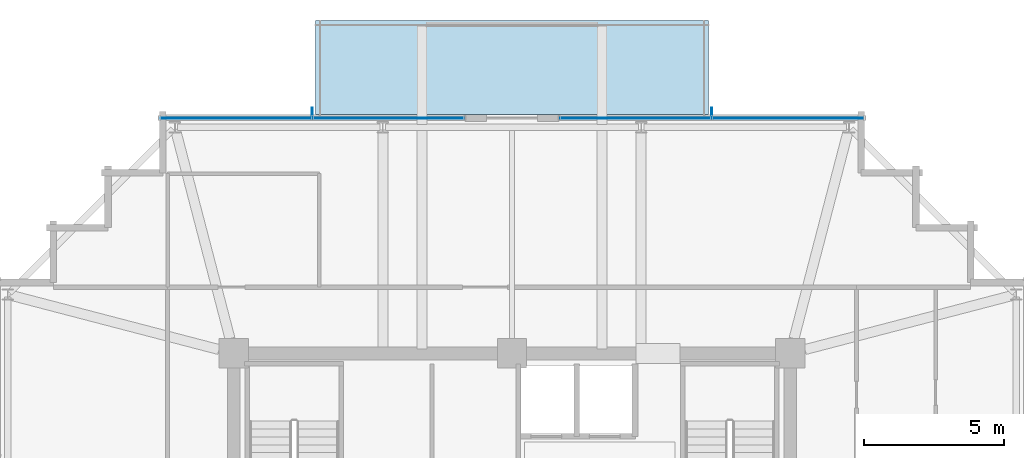
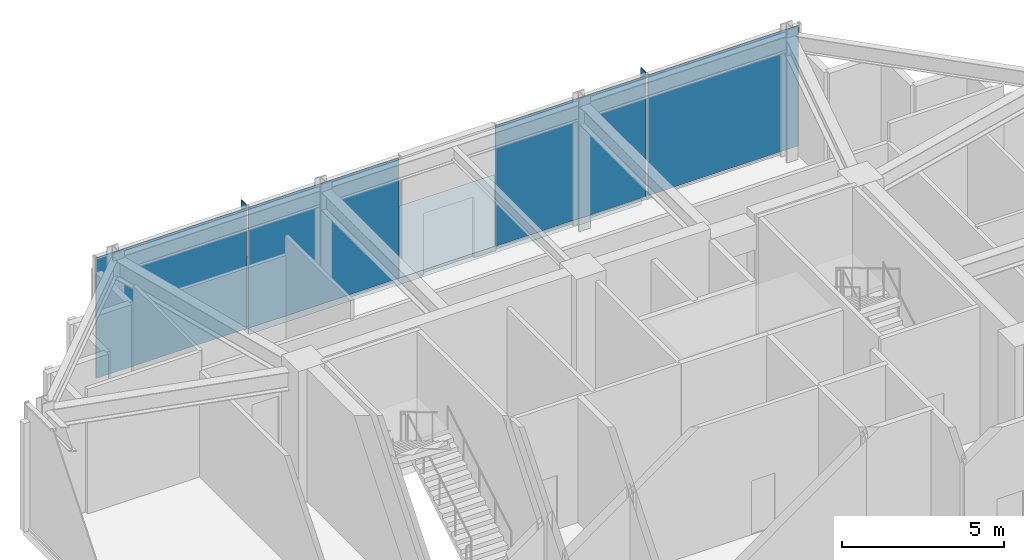
# One storey, part 26 of 31: 6 plates, 1 slab, 2 elements without a shape of their own.
"""IFC4 building model written with IfcOpenShell, lengths in metres."""

from ifc_helpers import new_model, si_unit, direction, frame, origin, origin_2d, place, context, subcontext, project, spatial, polyline, rectangle, outline, extrude, material, layer, layer_set, type_object, element, aggregate, save


model = new_model("IFC4")

# Units and contexts
model_context = context("Model", 3, precision=1e-05, world=origin(), true_north=direction((0.0, 1.0)))
body_context = subcontext(model_context, "Body", "Model", "MODEL_VIEW")
ifc_project = project(units=[si_unit("LENGTHUNIT", "METRE"), si_unit("AREAUNIT", "SQUARE_METRE"), si_unit("VOLUMEUNIT", "CUBIC_METRE"), si_unit("PLANEANGLEUNIT", "RADIAN"), si_unit("MASSUNIT", "GRAM", prefix="KILO")], contexts=[model_context])

# Site, building, storey
site_placement = place(None, origin())
site = spatial("IfcSite", under=ifc_project, at=site_placement, CompositionType="ELEMENT")
building_placement = place(site_placement, origin())
building = spatial("IfcBuilding", under=site, at=building_placement, Name="Kolvaren Belvedere", CompositionType="ELEMENT")
storey_placement = place(building_placement, frame((0.0, 0.0, 267.39990234375)))
storey = spatial("IfcBuildingStorey", under=building, at=storey_placement, Name="L77", CompositionType="ELEMENT", Elevation=267.39990234375)

# Curtain wall, plates
ifc_material_1 = material(Name="Anodised pale-metal aluminium AA 6063-T6", Category="aluminium")
curtain_wall_type = type_object("IfcCurtainWallType", Name="CW-CRN-OBS", PredefinedType="NOTDEFINED", material=ifc_material_1)
curtain_wall_1_placement = place(storey_placement, origin())
curtain_wall_1 = element("IfcCurtainWall", 1, at=curtain_wall_1_placement, inside=storey, type_object=curtain_wall_type, Name="L77 Unitised Curtain Wall FCW-L77-N1", PredefinedType="NOTDEFINED")
ifc_material_2 = material(Name="Low-iron laminated vision glass", Category="glass")
ifc_layer_1 = layer(ifc_material_2, 0.031982421875)
ifc_layer_set_1 = layer_set([ifc_layer_1], Name="Low-iron laminated vision glass")
plate_type_1 = type_object("IfcPlateType", Name="CW-PNL-VIS32", PredefinedType="CURTAIN_PANEL", material=ifc_layer_set_1)
plate_1_placement = place(storey_placement, frame((-9.83251953125, 18.280029296875, 0.080078125), z_axis=(0.0, 0.0, 1.0), x_axis=(1.0, 0.0, 0.0)))
plate_1 = element("IfcPlate", 2, at=plate_1_placement, type_object=plate_type_1, Name="FCW-L77-N1 Vision Glazing Panel 1", PredefinedType="CURTAIN_PANEL", context=body_context, shape_type="SweptSolid", body=[
    extrude(rectangle(XDim=5.35498046875, YDim=0.031982421875, at=origin_2d()), origin(), (0.0, 0.0, 1.0), 4.5400390625),
])
plate_2_placement = place(storey_placement, frame((-4.3974609375, 18.280029296875, 0.080078125), z_axis=(0.0, 0.0, 1.0), x_axis=(1.0, 0.0, 0.0)))
plate_2 = element("IfcPlate", 3, at=plate_2_placement, type_object=plate_type_1, Name="FCW-L77-N1 Vision Glazing Panel 2", PredefinedType="CURTAIN_PANEL", context=body_context, shape_type="SweptSolid", body=[
    extrude(rectangle(XDim=5.35498046875, YDim=0.031982421875, at=origin_2d()), origin(), (0.0, 0.0, 1.0), 4.5400390625),
])
aggregate(curtain_wall_1, [plate_1, plate_2])

curtain_wall_2_placement = place(storey_placement, origin())
curtain_wall_2 = element("IfcCurtainWall", 4, at=curtain_wall_2_placement, inside=storey, type_object=curtain_wall_type, Name="L77 Unitised Curtain Wall FCW-L77-N2", PredefinedType="NOTDEFINED")
plate_3_placement = place(storey_placement, frame((4.3974609375, 18.280029296875, 0.080078125), z_axis=(0.0, 0.0, 1.0), x_axis=(1.0, 0.0, 0.0)))
plate_3 = element("IfcPlate", 5, at=plate_3_placement, type_object=plate_type_1, Name="FCW-L77-N2 Vision Glazing Panel 1", PredefinedType="CURTAIN_PANEL", context=body_context, shape_type="SweptSolid", body=[
    extrude(rectangle(XDim=5.35498046875, YDim=0.031982421875, at=origin_2d()), origin(), (0.0, 0.0, 1.0), 4.5400390625),
])
plate_4_placement = place(storey_placement, frame((9.83251953125, 18.280029296875, 0.080078125), z_axis=(0.0, 0.0, 1.0), x_axis=(1.0, 0.0, 0.0)))
plate_4 = element("IfcPlate", 6, at=plate_4_placement, type_object=plate_type_1, Name="FCW-L77-N2 Vision Glazing Panel 2", PredefinedType="CURTAIN_PANEL", context=body_context, shape_type="SweptSolid", body=[
    extrude(rectangle(XDim=5.35498046875, YDim=0.031982421875, at=origin_2d()), origin(), (0.0, 0.0, 1.0), 4.5400390625),
])
aggregate(curtain_wall_2, [plate_3, plate_4])

# Plates
ifc_material_3 = material(Name="Anodised pale-metal aluminium AA 6063-T6", Category="aluminium")
ifc_layer_2 = layer(ifc_material_3, 0.030029296875)
ifc_layer_set_2 = layer_set([ifc_layer_2], Name="Anodised pale-metal aluminium AA 6063-T6")
plate_type_2 = type_object("IfcPlateType", Name="FIN-VERT-300", PredefinedType="USERDEFINED", material=ifc_layer_set_2)
for number, where, z_axis, x_axis, name in (
    (7, (-7.114990234375, 18.4951171875, 0.0), (0.0, 0.0, 1.0), (0.0, 1.0, 0.0), "L77 Pale-Metal Vertical Shading Fin FCW-L77-N1-1"),
    (8, (7.114990234375, 18.4951171875, 0.0), (0.0, 0.0, 1.0), (0.0, 1.0, 0.0), "L77 Pale-Metal Vertical Shading Fin FCW-L77-N2-1"),
):
    element("IfcPlate", number, at=place(storey_placement, frame(where, z_axis=z_axis, x_axis=x_axis)), inside=storey, type_object=plate_type_2, Name=name, ObjectType="VERTICAL FIN", PredefinedType="USERDEFINED", context=body_context, shape_type="SweptSolid", body=[
        extrude(rectangle(XDim=0.300048828125, YDim=0.030029296875, at=origin_2d()), origin(), (0.0, 0.0, 1.0), 4.699951171875),
    ])

# Slab
ifc_material_4 = material(Name="Concrete C50/60", Category="concrete")
ifc_layer_3 = layer(ifc_material_4, 0.260009765625)
ifc_layer_set_3 = layer_set([ifc_layer_3], Name="Concrete C50/60")
slab_type = type_object("IfcSlabType", Name="SL-TERR-260", PredefinedType="FLOOR", material=ifc_layer_set_3)
slab_placement = place(storey_placement, frame((0.0, 0.0, -0.27978515625)))
element("IfcSlab", 9, at=slab_placement, inside=storey, type_object=slab_type, Name="L77 Planted Sky Terrace LOOKOUT-N", PredefinedType="FLOOR", context=body_context, shape_type="SweptSolid", body=[
    extrude(outline(polyline([(-7.0, 18.39990234375), (7.0, 18.39990234375), (7.0, 21.75), (-7.0, 21.75), (-7.0, 18.39990234375)])), origin(), (0.0, 0.0, 1.0), 0.259765625),
])

save(model, "model.ifc")
